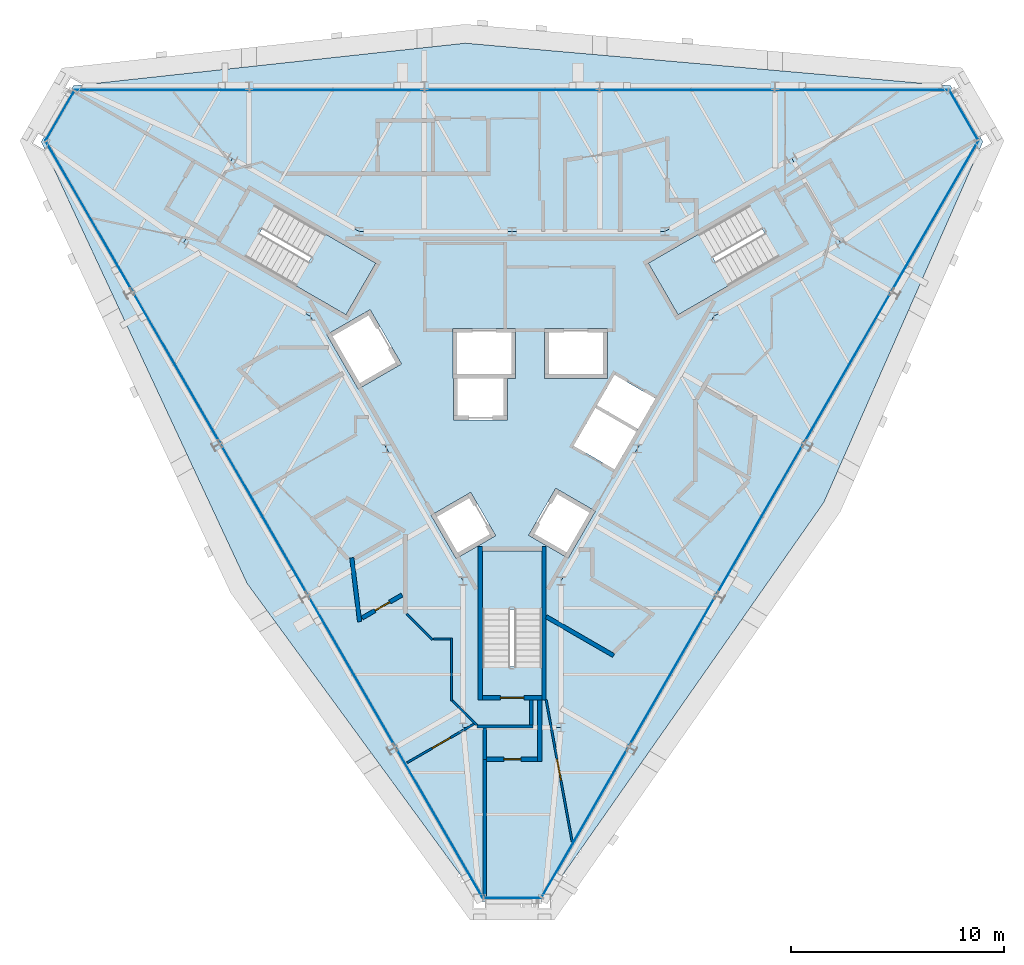
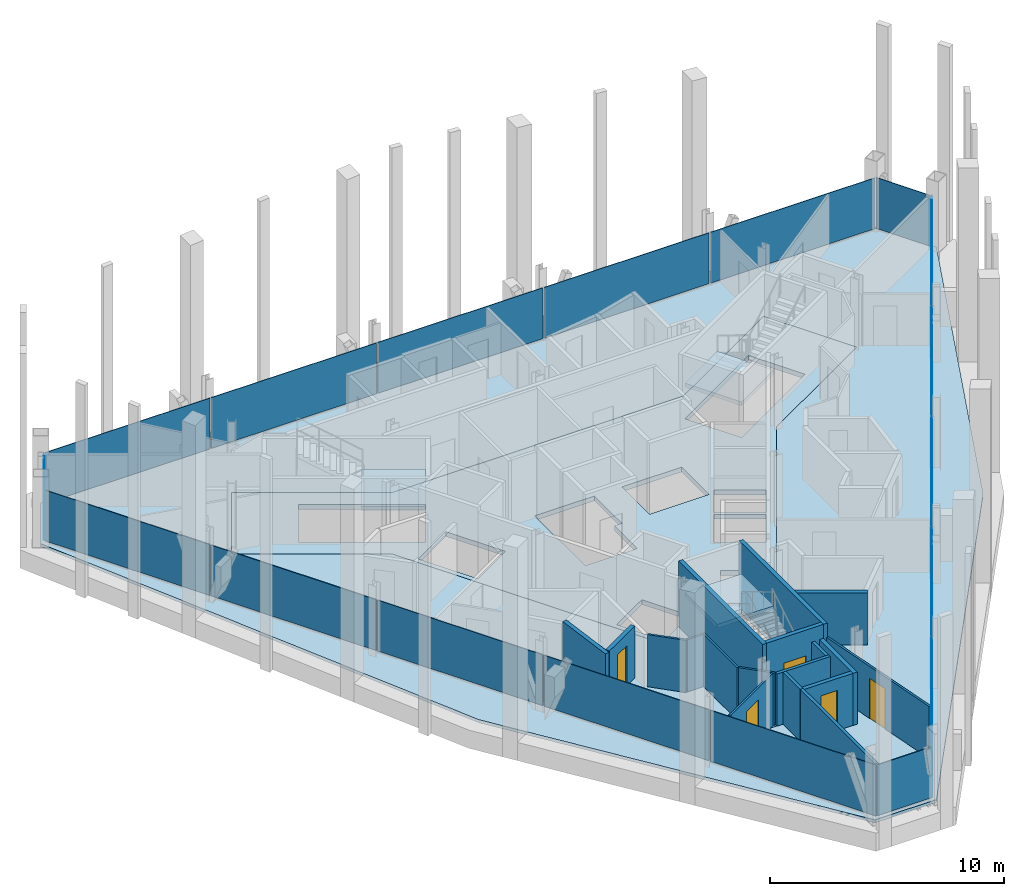
# One storey, part 7 of 13: 18 plates, 18 walls, 5 doors, 5 slabs, 5 openings, 9 elements without a shape of their own.
"""IFC4 building model written with IfcOpenShell, lengths in metres."""

from ifc_helpers import new_model, si_unit, direction, frame, frame_2d, origin, origin_2d, place, context, subcontext, project, spatial, polyline, rectangle, outline, extrude, material, layer, layer_set, type_object, element, fill, aggregate, save


model = new_model("IFC4")

# Units and contexts
model_context = context("Model", 3, precision=1e-05, world=origin(), true_north=direction((0.0, 1.0)))
body_context = subcontext(model_context, "Body", "Model", "MODEL_VIEW")
ifc_project = project(units=[si_unit("LENGTHUNIT", "METRE"), si_unit("AREAUNIT", "SQUARE_METRE"), si_unit("VOLUMEUNIT", "CUBIC_METRE"), si_unit("PLANEANGLEUNIT", "RADIAN"), si_unit("MASSUNIT", "GRAM", prefix="KILO")], contexts=[model_context])

# Site, building, storey
site_placement = place(None, origin())
site = spatial("IfcSite", under=ifc_project, at=site_placement, CompositionType="ELEMENT")
building_placement = place(site_placement, origin())
building = spatial("IfcBuilding", under=site, at=building_placement, Name="Verrane Prism Tower", CompositionType="ELEMENT")
storey_placement = place(building_placement, frame((0.0, 0.0, 286.199951171875)))
storey = spatial("IfcBuildingStorey", under=building, at=storey_placement, Name="L72", CompositionType="ELEMENT", Elevation=286.199951171875)

# Slabs
ifc_material_1 = material(Name="Concrete C35/45", Category="concrete")
ifc_layer_1 = layer(ifc_material_1, 0.159912109375)
ifc_layer_set_1 = layer_set([ifc_layer_1], Name="Composite floor slab")
slab_type_1 = type_object("IfcSlabType", Name="Composite floor slab", PredefinedType="FLOOR", material=ifc_layer_set_1)
slab_1_placement = place(storey_placement, frame((0.0, 0.0, -0.159912109375)))
element("IfcSlab", 1, at=slab_1_placement, inside=storey, type_object=slab_type_1, Name="Floor slab L72", PredefinedType="FLOOR", context=body_context, shape_type="SweptSolid", body=[
    extrude(outline(polyline([(14.652099609375, -5.921630859375), (1.51904296875, -24.6689453125), (-1.51904296875, -24.6689453125), (-12.454345703125, -9.728515625), (-22.12353515625, 11.01904296875), (-20.6044921875, 13.64990234375), (-2.19775390625, 15.64990234375), (20.6044921875, 13.64990234375), (22.12353515625, 11.01904296875), (14.652099609375, -5.921630859375)]), holes=[polyline([(15.43994140625, 6.260009765625), (13.139892578125, 10.239990234375), (7.179931640625, 6.800048828125), (0.0, 6.800048828125), (-7.179931640625, 6.800048828125), (-13.139892578125, 10.239990234375), (-15.43994140625, 6.260009765625), (-9.47998046875, 2.820068359375), (-5.889892578125, -3.39990234375), (-2.300048828125, -9.6201171875), (-2.300048828125, -16.5), (2.300048828125, -16.5), (2.300048828125, -9.6201171875), (5.889892578125, -3.39990234375), (9.47998046875, 2.820068359375), (15.43994140625, 6.260009765625)])]), origin(), (0.0, 0.0, 1.0), 0.159912109375),
])
ifc_material_2 = material(Name="Concrete C40/50", Category="concrete")
ifc_layer_2 = layer(ifc_material_2, 0.25)
ifc_layer_set_2 = layer_set([ifc_layer_2], Name="Core floor slab 250 concrete C40/50")
slab_type_2 = type_object("IfcSlabType", Name="Core floor slab 250 concrete C40/50", PredefinedType="FLOOR", material=ifc_layer_set_2)
slab_2_placement = place(storey_placement, frame((0.0, 0.0, -0.25)))
element("IfcSlab", 2, at=slab_2_placement, inside=storey, type_object=slab_type_2, Name="Core floor L72", PredefinedType="FLOOR", context=body_context, shape_type="SweptSolid", body=[
    extrude(outline(polyline([(9.47998046875, 2.820068359375), (15.43994140625, 6.260009765625), (13.139892578125, 10.239990234375), (7.179931640625, 6.800048828125), (0.0, 6.800048828125), (-7.179931640625, 6.800048828125), (-13.139892578125, 10.239990234375), (-15.43994140625, 6.260009765625), (-9.47998046875, 2.820068359375), (-5.889892578125, -3.39990234375), (-2.300048828125, -9.6201171875), (-2.300048828125, -16.5), (2.300048828125, -16.5), (2.300048828125, -9.6201171875), (5.889892578125, -3.39990234375), (9.47998046875, 2.820068359375)]), holes=[polyline([(-1.39990234375, -8.199951171875), (1.39990234375, -8.199951171875), (1.39990234375, -13.639892578125), (-1.39990234375, -13.639892578125), (-1.39990234375, -8.199951171875)]), polyline([(-0.76708984375, -7.491943359375), (-2.62890625, -8.56689453125), (-3.803955078125, -6.531982421875), (-1.94189453125, -5.45703125), (-0.76708984375, -7.491943359375)]), polyline([(3.9140625, -6.341064453125), (2.638916015625, -8.550048828125), (0.777099609375, -7.47509765625), (2.052001953125, -5.26611328125), (3.9140625, -6.341064453125)]), polyline([(4.81494140625, -4.37890625), (2.888916015625, -3.26708984375), (3.9130859375, -1.490966796875), (5.841064453125, -2.60302734375), (4.81494140625, -4.37890625)]), polyline([(6.739990234375, -1.044921875), (5.916015625, -2.47412109375), (3.988037109375, -1.361083984375), (4.81396484375, 0.06689453125), (6.739990234375, -1.044921875)]), polyline([(-2.784912109375, -0.10009765625), (-2.784912109375, 2.25), (0.1650390625, 2.25), (0.1650390625, -0.10009765625), (-0.205078125, -0.10009765625), (-0.205078125, -2.050048828125), (-2.7548828125, -2.050048828125), (-2.7548828125, -0.10009765625), (-2.784912109375, -0.10009765625)]), polyline([(4.47509765625, 2.25), (4.47509765625, -0.10009765625), (1.52490234375, -0.10009765625), (1.52490234375, 2.25), (4.47509765625, 2.25)]), polyline([(-8.7041015625, 1.955078125), (-6.66796875, 3.1298828125), (-5.193115234375, 0.574951171875), (-7.22900390625, -0.60009765625), (-8.7041015625, 1.955078125)]), polyline([(-7.801025390625, 2.887939453125), (-12.512939453125, 5.60791015625), (-11.113037109375, 8.031982421875), (-6.40087890625, 5.31201171875), (-7.801025390625, 2.887939453125)]), polyline([(6.40087890625, 5.31201171875), (11.113037109375, 8.031982421875), (12.512939453125, 5.60791015625), (7.801025390625, 2.887939453125), (6.40087890625, 5.31201171875)])]), origin(), (0.0, 0.0, 1.0), 0.25),
])

# Curtain wall, plate
ifc_material_3 = material(Name="Aluminium framed insulated glazing", Category="aluminium")
curtain_wall_type = type_object("IfcCurtainWallType", Name="Curtain wall CW-A 8400 module", PredefinedType="NOTDEFINED", material=ifc_material_3)
curtain_wall_1_placement = place(storey_placement, origin())
curtain_wall_1 = element("IfcCurtainWall", 3, at=curtain_wall_1_placement, inside=storey, type_object=curtain_wall_type, Name="Glazed curtain wall north-east corner L72", PredefinedType="NOTDEFINED")
ifc_material_4 = material(Name="Low-iron insulating glass unit", Category="glass")
ifc_layer_3 = layer(ifc_material_4, 0.031982421875)
ifc_layer_set_3 = layer_set([ifc_layer_3], Name="Glazing panel IGU 32")
plate_type = type_object("IfcPlateType", Name="Glazing panel IGU 32", PredefinedType="CURTAIN_PANEL", material=ifc_layer_set_3)
plate_1_placement = place(storey_placement, frame((21.21484375, 12.288818359375, 0.06982421875), z_axis=(0.0, 0.0, 1.0), x_axis=(-0.500002040855, 0.866024225493, 0.0)))
plate_1 = element("IfcPlate", 4, at=plate_1_placement, type_object=plate_type, Name="CW72.1 panel 1", PredefinedType="CURTAIN_PANEL", context=body_context, shape_type="SweptSolid", body=[
    extrude(rectangle(XDim=2.67529296875, YDim=0.031982421875, at=origin_2d()), origin(), (0.0, 0.0, 1.0), 2.653076171875),
])
aggregate(curtain_wall_1, [plate_1])

# Curtain wall, plates
curtain_wall_2_placement = place(storey_placement, origin())
curtain_wall_2 = element("IfcCurtainWall", 5, at=curtain_wall_2_placement, inside=storey, type_object=curtain_wall_type, Name="Glazed curtain wall north face L72", PredefinedType="NOTDEFINED")
plate_2_placement = place(storey_placement, frame((16.41943359375, 13.447265625, 0.06982421875), z_axis=(0.0, 0.0, 1.0), x_axis=(-1.0, 0.0, 0.0)))
plate_2 = element("IfcPlate", 6, at=plate_2_placement, type_object=plate_type, Name="CW72.2 panel 1", PredefinedType="CURTAIN_PANEL", context=body_context, shape_type="SweptSolid", body=[
    extrude(rectangle(XDim=8.113525390625, YDim=0.031982421875, at=origin_2d()), origin(), (0.0, 0.0, 1.0), 2.653076171875),
])
plate_3_placement = place(storey_placement, frame((8.218505859375, 13.447265625, 0.06982421875), z_axis=(0.0, 0.0, 1.0), x_axis=(-1.0, 0.0, 0.0)))
plate_3 = element("IfcPlate", 7, at=plate_3_placement, type_object=plate_type, Name="CW72.2 panel 2", PredefinedType="CURTAIN_PANEL", context=body_context, shape_type="SweptSolid", body=[
    extrude(rectangle(XDim=8.1484375, YDim=0.031982421875, at=origin_2d()), origin(), (0.0, 0.0, 1.0), 2.653076171875),
])
plate_4_placement = place(storey_placement, frame((0.0, 13.447265625, 0.06982421875), z_axis=(0.0, 0.0, 1.0), x_axis=(-1.0, 0.0, 0.0)))
plate_4 = element("IfcPlate", 8, at=plate_4_placement, type_object=plate_type, Name="CW72.2 panel 3", PredefinedType="CURTAIN_PANEL", context=body_context, shape_type="SweptSolid", body=[
    extrude(rectangle(XDim=8.1484375, YDim=0.031982421875, at=origin_2d()), origin(), (0.0, 0.0, 1.0), 2.653076171875),
])
plate_5_placement = place(storey_placement, frame((-8.218505859375, 13.447265625, 0.06982421875), z_axis=(0.0, 0.0, 1.0), x_axis=(-1.0, 0.0, 0.0)))
plate_5 = element("IfcPlate", 9, at=plate_5_placement, type_object=plate_type, Name="CW72.2 panel 4", PredefinedType="CURTAIN_PANEL", context=body_context, shape_type="SweptSolid", body=[
    extrude(rectangle(XDim=8.1484375, YDim=0.031982421875, at=origin_2d()), origin(), (0.0, 0.0, 1.0), 2.653076171875),
])
plate_6_placement = place(storey_placement, frame((-16.454345703125, 13.447265625, 0.06982421875), z_axis=(0.0, 0.0, 1.0), x_axis=(-1.0, 0.0, 0.0)))
plate_6 = element("IfcPlate", 10, at=plate_6_placement, type_object=plate_type, Name="CW72.2 panel 5", PredefinedType="CURTAIN_PANEL", context=body_context, shape_type="SweptSolid", body=[
    extrude(rectangle(XDim=8.183349609375, YDim=0.031982421875, at=origin_2d()), origin(), (0.0, 0.0, 1.0), 2.653076171875),
])
aggregate(curtain_wall_2, [plate_2, plate_3, plate_4, plate_5, plate_6])

# Curtain wall, plate
curtain_wall_3_placement = place(storey_placement, origin())
curtain_wall_3 = element("IfcCurtainWall", 11, at=curtain_wall_3_placement, inside=storey, type_object=curtain_wall_type, Name="Glazed curtain wall north-west corner L72", PredefinedType="NOTDEFINED")
plate_7_placement = place(storey_placement, frame((-21.25, 12.228271484375, 0.06982421875), z_axis=(0.0, 0.0, 1.0), x_axis=(-0.500002040855, -0.866024225493, 0.0)))
plate_7 = element("IfcPlate", 12, at=plate_7_placement, type_object=plate_type, Name="CW72.3 panel 1", PredefinedType="CURTAIN_PANEL", context=body_context, shape_type="SweptSolid", body=[
    extrude(rectangle(XDim=2.67529296875, YDim=0.031982421875, at=origin_2d()), origin(), (0.0, 0.0, 1.0), 2.653076171875),
])
aggregate(curtain_wall_3, [plate_7])

# Curtain wall, plates
curtain_wall_4_placement = place(storey_placement, origin())
curtain_wall_4 = element("IfcCurtainWall", 13, at=curtain_wall_4_placement, inside=storey, type_object=curtain_wall_type, Name="Glazed curtain wall south-west face L72", PredefinedType="NOTDEFINED")
plate_8_placement = place(storey_placement, frame((-19.855224609375, 7.495849609375, 0.06982421875), z_axis=(0.0, 0.0, 1.0), x_axis=(0.500000938868, -0.866024861728, 0.0)))
plate_8 = element("IfcPlate", 14, at=plate_8_placement, type_object=plate_type, Name="CW72.4 panel 1", PredefinedType="CURTAIN_PANEL", context=body_context, shape_type="SweptSolid", body=[
    extrude(rectangle(XDim=8.113525390625, YDim=0.031982421875, at=origin_2d()), origin(), (0.0, 0.0, 1.0), 2.653076171875),
])
plate_9_placement = place(storey_placement, frame((-15.7548828125, 0.393798828125, 0.06982421875), z_axis=(0.0, 0.0, 1.0), x_axis=(0.500000938868, -0.866024861728, 0.0)))
plate_9 = element("IfcPlate", 15, at=plate_9_placement, type_object=plate_type, Name="CW72.4 panel 2", PredefinedType="CURTAIN_PANEL", context=body_context, shape_type="SweptSolid", body=[
    extrude(rectangle(XDim=8.1484375, YDim=0.031982421875, at=origin_2d()), origin(), (0.0, 0.0, 1.0), 2.653076171875),
])
plate_10_placement = place(storey_placement, frame((-11.645751953125, -6.7236328125, 0.06982421875), z_axis=(0.0, 0.0, 1.0), x_axis=(0.500000938868, -0.866024861728, 0.0)))
plate_10 = element("IfcPlate", 16, at=plate_10_placement, type_object=plate_type, Name="CW72.4 panel 3", PredefinedType="CURTAIN_PANEL", context=body_context, shape_type="SweptSolid", body=[
    extrude(rectangle(XDim=8.1484375, YDim=0.031982421875, at=origin_2d()), origin(), (0.0, 0.0, 1.0), 2.653076171875),
])
plate_11_placement = place(storey_placement, frame((-7.536376953125, -13.841064453125, 0.06982421875), z_axis=(0.0, 0.0, 1.0), x_axis=(0.500000938868, -0.866024861728, 0.0)))
plate_11 = element("IfcPlate", 17, at=plate_11_placement, type_object=plate_type, Name="CW72.4 panel 4", PredefinedType="CURTAIN_PANEL", context=body_context, shape_type="SweptSolid", body=[
    extrude(rectangle(XDim=8.1484375, YDim=0.031982421875, at=origin_2d()), origin(), (0.0, 0.0, 1.0), 2.653076171875),
])
plate_12_placement = place(storey_placement, frame((-3.41845703125, -20.973388671875, 0.06982421875), z_axis=(0.0, 0.0, 1.0), x_axis=(0.500000938868, -0.866024861728, 0.0)))
plate_12 = element("IfcPlate", 18, at=plate_12_placement, type_object=plate_type, Name="CW72.4 panel 5", PredefinedType="CURTAIN_PANEL", context=body_context, shape_type="SweptSolid", body=[
    extrude(rectangle(XDim=8.183349609375, YDim=0.031982421875, at=origin_2d()), origin(), (0.0, 0.0, 1.0), 2.653076171875),
])
aggregate(curtain_wall_4, [plate_8, plate_9, plate_10, plate_11, plate_12])

# Curtain wall, plate
curtain_wall_5_placement = place(storey_placement, origin())
curtain_wall_5 = element("IfcCurtainWall", 19, at=curtain_wall_5_placement, inside=storey, type_object=curtain_wall_type, Name="Glazed curtain wall south corner L72", PredefinedType="NOTDEFINED")
plate_13_placement = place(storey_placement, frame((0.034912109375, -24.51708984375, 0.06982421875), z_axis=(0.0, 0.0, 1.0), x_axis=(1.0, 0.0, 0.0)))
plate_13 = element("IfcPlate", 20, at=plate_13_placement, type_object=plate_type, Name="CW72.5 panel 1", PredefinedType="CURTAIN_PANEL", context=body_context, shape_type="SweptSolid", body=[
    extrude(rectangle(XDim=2.67529296875, YDim=0.031982421875, at=origin_2d()), origin(), (0.0, 0.0, 1.0), 2.653076171875),
])
aggregate(curtain_wall_5, [plate_13])

# Curtain wall, plates
curtain_wall_6_placement = place(storey_placement, origin())
curtain_wall_6 = element("IfcCurtainWall", 21, at=curtain_wall_6_placement, inside=storey, type_object=curtain_wall_type, Name="Glazed curtain wall south-east face L72", PredefinedType="NOTDEFINED")
plate_14_placement = place(storey_placement, frame((3.43603515625, -20.943115234375, 0.06982421875), z_axis=(0.0, 0.0, 1.0), x_axis=(0.500000938868, 0.866024861728, 0.0)))
plate_14 = element("IfcPlate", 22, at=plate_14_placement, type_object=plate_type, Name="CW72.6 panel 1", PredefinedType="CURTAIN_PANEL", context=body_context, shape_type="SweptSolid", body=[
    extrude(rectangle(XDim=8.113525390625, YDim=0.031982421875, at=origin_2d()), origin(), (0.0, 0.0, 1.0), 2.653076171875),
])
plate_15_placement = place(storey_placement, frame((7.536376953125, -13.841064453125, 0.06982421875), z_axis=(0.0, 0.0, 1.0), x_axis=(0.500000938868, 0.866024861728, 0.0)))
plate_15 = element("IfcPlate", 23, at=plate_15_placement, type_object=plate_type, Name="CW72.6 panel 2", PredefinedType="CURTAIN_PANEL", context=body_context, shape_type="SweptSolid", body=[
    extrude(rectangle(XDim=8.1484375, YDim=0.031982421875, at=origin_2d()), origin(), (0.0, 0.0, 1.0), 2.653076171875),
])
plate_16_placement = place(storey_placement, frame((11.645751953125, -6.7236328125, 0.06982421875), z_axis=(0.0, 0.0, 1.0), x_axis=(0.500000938868, 0.866024861728, 0.0)))
plate_16 = element("IfcPlate", 24, at=plate_16_placement, type_object=plate_type, Name="CW72.6 panel 3", PredefinedType="CURTAIN_PANEL", context=body_context, shape_type="SweptSolid", body=[
    extrude(rectangle(XDim=8.1484375, YDim=0.031982421875, at=origin_2d()), origin(), (0.0, 0.0, 1.0), 2.653076171875),
])
plate_17_placement = place(storey_placement, frame((15.7548828125, 0.393798828125, 0.06982421875), z_axis=(0.0, 0.0, 1.0), x_axis=(0.500000938868, 0.866024861728, 0.0)))
plate_17 = element("IfcPlate", 25, at=plate_17_placement, type_object=plate_type, Name="CW72.6 panel 4", PredefinedType="CURTAIN_PANEL", context=body_context, shape_type="SweptSolid", body=[
    extrude(rectangle(XDim=8.1484375, YDim=0.031982421875, at=origin_2d()), origin(), (0.0, 0.0, 1.0), 2.653076171875),
])
plate_18_placement = place(storey_placement, frame((19.872802734375, 7.5263671875, 0.06982421875), z_axis=(0.0, 0.0, 1.0), x_axis=(0.500000938868, 0.866024861728, 0.0)))
plate_18 = element("IfcPlate", 26, at=plate_18_placement, type_object=plate_type, Name="CW72.6 panel 5", PredefinedType="CURTAIN_PANEL", context=body_context, shape_type="SweptSolid", body=[
    extrude(rectangle(XDim=8.183349609375, YDim=0.031982421875, at=origin_2d()), origin(), (0.0, 0.0, 1.0), 2.653076171875),
])
aggregate(curtain_wall_6, [plate_14, plate_15, plate_16, plate_17, plate_18])

# Stair, slab
ifc_material_5 = material(Name="Concrete C40/50", Category="concrete")
stair_type = type_object("IfcStairType", Name="Exit stair 1300 dog-leg precast concrete C40/50", PredefinedType="HALF_TURN_STAIR", material=ifc_material_5)
stair_1_placement = place(storey_placement, origin())
stair_1 = element("IfcStair", 27, at=stair_1_placement, inside=storey, type_object=stair_type, Name="Stair 1 L72", PredefinedType="HALF_TURN_STAIR")
ifc_material_6 = material(Name="Concrete C40/50", Category="concrete")
ifc_layer_4 = layer(ifc_material_6, 0.199951171875)
ifc_layer_set_4 = layer_set([ifc_layer_4], Name="Stair landing 200 precast concrete C40/50")
slab_type_3 = type_object("IfcSlabType", Name="Stair landing 200 precast concrete C40/50", PredefinedType="LANDING", material=ifc_layer_set_4)
slab_3_placement = place(storey_placement, frame((0.0, 0.0, 1.650146484375)))
slab_3 = element("IfcSlab", 28, at=slab_3_placement, type_object=slab_type_3, Name="Stair 1 landing 1", PredefinedType="LANDING", context=body_context, shape_type="SweptSolid", body=[
    extrude(outline(polyline([(8.791748046875, 6.6923828125), (6.4013671875, 5.3125), (7.801513671875, 2.887451171875), (10.191650390625, 4.267578125), (8.791748046875, 6.6923828125)])), origin(), (0.0, 0.0, 1.0), 0.199951171875),
])
aggregate(stair_1, [slab_3])

stair_2_placement = place(storey_placement, origin())
stair_2 = element("IfcStair", 29, at=stair_2_placement, inside=storey, type_object=stair_type, Name="Stair 2 L72", PredefinedType="HALF_TURN_STAIR")
slab_4_placement = place(storey_placement, frame((0.0, 0.0, 1.650146484375)))
slab_4 = element("IfcSlab", 30, at=slab_4_placement, type_object=slab_type_3, Name="Stair 2 landing 1", PredefinedType="LANDING", context=body_context, shape_type="SweptSolid", body=[
    extrude(outline(polyline([(-10.191650390625, 4.267578125), (-7.801513671875, 2.887451171875), (-6.4013671875, 5.3125), (-8.791748046875, 6.6923828125), (-10.191650390625, 4.267578125)])), origin(), (0.0, 0.0, 1.0), 0.199951171875),
])
aggregate(stair_2, [slab_4])

stair_3_placement = place(storey_placement, origin())
stair_3 = element("IfcStair", 31, at=stair_3_placement, inside=storey, type_object=stair_type, Name="Stair 3 L72", PredefinedType="HALF_TURN_STAIR")
slab_5_placement = place(storey_placement, frame((0.0, 0.0, 1.650146484375)))
slab_5 = element("IfcSlab", 32, at=slab_5_placement, type_object=slab_type_3, Name="Stair 3 landing 1", PredefinedType="LANDING", context=body_context, shape_type="SweptSolid", body=[
    extrude(outline(polyline([(1.39990234375, -10.9599609375), (1.39990234375, -8.199951171875), (-1.39990234375, -8.199951171875), (-1.39990234375, -10.9599609375), (1.39990234375, -10.9599609375)])), origin(), (0.0, 0.0, 1.0), 0.199951171875),
])
aggregate(stair_3, [slab_5])

# Wall, opening, door
ifc_material_7 = material(Name="Concrete C40/50", Category="concrete")
ifc_layer_5 = layer(ifc_material_7, 0.199951171875)
ifc_layer_set_5 = layer_set([ifc_layer_5], Name="CW-200 stair core wall concrete C40/50 3 h")
wall_type_1 = type_object("IfcWallType", Name="CW-200 stair core wall concrete C40/50 3 h", PredefinedType="PARTITIONING", material=ifc_layer_set_5)
wall_1_placement = place(storey_placement, frame((-1.39990234375, -15.10009765625, 0.0), z_axis=(0.0, 0.0, 1.0), x_axis=(1.0, 0.0, 0.0)))
wall_1 = element("IfcWall", 33, at=wall_1_placement, inside=storey, type_object=wall_type_1, Name="Stair 3 enclosure wall", PredefinedType="PARTITIONING", context=body_context, shape_type="SweptSolid", body=[
    extrude(rectangle(XDim=2.7998046875, YDim=0.199951171875, at=frame_2d((1.39990234375, 0.0))), origin(), (0.0, 0.0, 1.0), 3.449951171875),
])
opening_1_placement = place(wall_1_placement, frame((0.85009765625, 0.0, 0.0)))
opening_1 = element("IfcOpeningElement", 34, at=opening_1_placement, cuts=wall_1, Name="Opening D72502", PredefinedType="OPENING", context=body_context, shape_type="SweptSolid", body=[
    extrude(rectangle(XDim=1.10009765625, YDim=2.10009765625, at=frame_2d((0.550048828125, 1.050048828125))), frame((0.0, 0.10986328125, 0.0), z_axis=(0.0, -1.0, 0.0), x_axis=(1.0, 0.0, 0.0)), (0.0, 0.0, 1.0), 0.219970703125),
])
ifc_material_8 = material(Name="Timber veneered door leaf", Category="wood")
door_type_1 = type_object("IfcDoorType", Name="DR-1100x2100 FD90 single leaf stair", OperationType="NOTDEFINED", PredefinedType="DOOR", material=ifc_material_8)
door_1_placement = place(opening_1_placement, origin())
door_1 = element("IfcDoor", 35, at=door_1_placement, inside=storey, type_object=door_type_1, Name="Stair 3 door", OperationType="SINGLE_SWING_LEFT", OverallHeight=2.10009765625, OverallWidth=1.10009765625, PredefinedType="DOOR", context=body_context, shape_type="SweptSolid", body=[
    extrude(rectangle(XDim=1.10009765625, YDim=2.10009765625, at=frame_2d((0.550048828125, 1.050048828125))), frame((0.0, 0.02490234375, 0.0), z_axis=(0.0, -1.0, 0.0), x_axis=(1.0, 0.0, 0.0)), (0.0, 0.0, 1.0), 0.050048828125),
])
fill(opening_1, door_1)

# Walls
for number, where, z_axis, x_axis, name in (
    (36, (1.5, -8.0, 0.0), (0.0, 0.0, 1.0), (0.0, -1.0, 0.0), "Stair 3 enclosure wall"),
    (37, (-1.5, -8.0, 0.0), (0.0, 0.0, 1.0), (0.0, -1.0, 0.0), "Stair 3 enclosure wall"),
):
    element("IfcWall", number, at=place(storey_placement, frame(where, z_axis=z_axis, x_axis=x_axis)), inside=storey, type_object=wall_type_1, Name=name, PredefinedType="PARTITIONING", context=body_context, shape_type="SweptSolid", body=[
        extrude(rectangle(XDim=7.199951171875, YDim=0.199951171875, at=frame_2d((3.60009765625, 0.0))), origin(), (0.0, 0.0, 1.0), 3.449951171875),
    ])
ifc_material_9 = material(Name="Gypsum board partition", Category="other")
ifc_layer_6 = layer(ifc_material_9, 0.10009765625)
ifc_layer_set_6 = layer_set([ifc_layer_6], Name="PW-100 room partition")
wall_type_2 = type_object("IfcWallType", Name="PW-100 room partition", PredefinedType="PARTITIONING", material=ifc_layer_set_6)
wall_2_placement = place(storey_placement, frame((-4.94482421875, -11.163330078125, 0.0), z_axis=(0.0, 0.0, 1.0), x_axis=(0.707178051335, -0.707035503854, 0.0)))
element("IfcWall", 38, at=wall_2_placement, inside=storey, type_object=wall_type_2, Name="Room partition 028", PredefinedType="PARTITIONING", context=body_context, shape_type="SweptSolid", body=[
    extrude(rectangle(XDim=1.712646484375, YDim=0.10009765625, at=frame_2d((0.8564453125, 0.0))), origin(), (0.0, 0.0, 1.0), 2.72314453125),
])

# Wall, opening, door
wall_3_placement = place(storey_placement, frame((-1.79345703125, -16.345703125, 0.0), z_axis=(0.0, 0.0, 1.0), x_axis=(-0.86592535605, -0.500173247735, 0.0)))
wall_3 = element("IfcWall", 39, at=wall_3_placement, inside=storey, type_object=wall_type_2, Name="Room partition 029", PredefinedType="PARTITIONING", context=body_context, shape_type="SweptSolid", body=[
    extrude(rectangle(XDim=3.625244140625, YDim=0.10009765625, at=frame_2d((1.8125, 0.0))), origin(), (0.0, 0.0, 1.0), 2.72314453125),
])
opening_2_placement = place(wall_3_placement, frame((1.271484375, 0.0, 0.0)))
opening_2 = element("IfcOpeningElement", 40, at=opening_2_placement, cuts=wall_3, Name="Opening D72025", PredefinedType="OPENING", context=body_context, shape_type="SweptSolid", body=[
    extrude(rectangle(XDim=1.0, YDim=2.10009765625, at=frame_2d((0.5, 1.050048828125))), frame((0.0, 0.06005859375, 0.0), z_axis=(0.0, -1.0, 0.0), x_axis=(1.0, 0.0, 0.0)), (0.0, 0.0, 1.0), 0.1201171875),
])
ifc_material_10 = material(Name="Timber veneered door leaf", Category="wood")
door_type_2 = type_object("IfcDoorType", Name="DR-1000x2100 single leaf inner", OperationType="NOTDEFINED", PredefinedType="DOOR", material=ifc_material_10)
door_2_placement = place(opening_2_placement, origin())
door_2 = element("IfcDoor", 41, at=door_2_placement, inside=storey, type_object=door_type_2, Name="Living And Dining Room door", OperationType="SINGLE_SWING_RIGHT", OverallHeight=2.10009765625, OverallWidth=1.0, PredefinedType="DOOR", context=body_context, shape_type="SweptSolid", body=[
    extrude(rectangle(XDim=1.0, YDim=2.10009765625, at=frame_2d((0.5, 1.050048828125))), frame((0.0, 0.02490234375, 0.0), z_axis=(0.0, -1.0, 0.0), x_axis=(1.0, 0.0, 0.0)), (0.0, 0.0, 1.0), 0.050048828125),
])
fill(opening_2, door_2)

# Walls
wall_4_placement = place(storey_placement, frame((-3.698974609375, -12.339111328125, 0.0), z_axis=(0.0, 0.0, 1.0), x_axis=(1.0, 0.0, 0.0)))
element("IfcWall", 42, at=wall_4_placement, inside=storey, type_object=wall_type_2, Name="Room partition 030", PredefinedType="PARTITIONING", context=body_context, shape_type="SweptSolid", body=[
    extrude(rectangle(XDim=0.799072265625, YDim=0.10009765625, at=frame_2d((0.3994140625, 0.0))), origin(), (0.0, 0.0, 1.0), 2.72314453125),
])
wall_5_placement = place(storey_placement, frame((-2.85009765625, -15.25, 0.0), z_axis=(0.0, 0.0, 1.0), x_axis=(0.0, 1.0, 0.0)))
element("IfcWall", 43, at=wall_5_placement, inside=storey, type_object=wall_type_2, Name="Room partition 033", PredefinedType="PARTITIONING", context=body_context, shape_type="SweptSolid", body=[
    extrude(rectangle(XDim=2.9609375, YDim=0.10009765625, at=frame_2d((1.48046875, 0.0))), origin(), (0.0, 0.0, 1.0), 2.72314453125),
])
wall_6_placement = place(storey_placement, frame((-2.800537109375, -15.24951171875, 0.0), z_axis=(0.0, 0.0, 1.0), x_axis=(0.707106781187, -0.707106781187, 0.0)))
element("IfcWall", 44, at=wall_6_placement, inside=storey, type_object=wall_type_2, Name="Room partition 034", PredefinedType="PARTITIONING", context=body_context, shape_type="SweptSolid", body=[
    extrude(rectangle(XDim=1.60791015625, YDim=0.10009765625, at=frame_2d((0.803955078125, 0.0))), origin(), (0.0, 0.0, 1.0), 2.72314453125),
])

# Wall, opening, door
wall_7_placement = place(storey_placement, frame((2.82275390625, -21.869384765625, 0.0), z_axis=(0.0, 0.0, 1.0), x_axis=(-0.180317418333, 0.983608473248, 0.0)))
wall_7 = element("IfcWall", 45, at=wall_7_placement, inside=storey, type_object=wall_type_2, Name="Room partition 045", PredefinedType="PARTITIONING", context=body_context, shape_type="SweptSolid", body=[
    extrude(rectangle(XDim=6.780517578125, YDim=0.10009765625, at=frame_2d((3.39013671875, 0.0))), origin(), (0.0, 0.0, 1.0), 2.72314453125),
])
opening_3_placement = place(wall_7_placement, frame((2.9306640625, 0.0, 0.0)))
opening_3 = element("IfcOpeningElement", 46, at=opening_3_placement, cuts=wall_7, Name="Opening D72003", PredefinedType="OPENING", context=body_context, shape_type="SweptSolid", body=[
    extrude(rectangle(XDim=1.0, YDim=2.10009765625, at=frame_2d((0.5, 1.050048828125))), frame((0.0, 0.06005859375, 0.0), z_axis=(0.0, -1.0, 0.0), x_axis=(1.0, 0.0, 0.0)), (0.0, 0.0, 1.0), 0.1201171875),
])
door_3_placement = place(opening_3_placement, origin())
door_3 = element("IfcDoor", 47, at=door_3_placement, inside=storey, type_object=door_type_2, Name="Living And Dining Room door", OperationType="SINGLE_SWING_RIGHT", OverallHeight=2.10009765625, OverallWidth=1.0, PredefinedType="DOOR", context=body_context, shape_type="SweptSolid", body=[
    extrude(rectangle(XDim=1.0, YDim=2.10009765625, at=frame_2d((0.5, 1.050048828125))), frame((0.0, 0.02490234375, 0.0), z_axis=(0.0, -1.0, 0.0), x_axis=(1.0, 0.0, 0.0)), (0.0, 0.0, 1.0), 0.050048828125),
])
fill(opening_3, door_3)

# Walls
ifc_material_11 = material(Name="Gypsum board partition", Category="other")
ifc_layer_7 = layer(ifc_material_11, 0.14990234375)
ifc_layer_set_7 = layer_set([ifc_layer_7], Name="PW-150 demising wall 1 h")
wall_type_3 = type_object("IfcWallType", Name="PW-150 demising wall 1 h", PredefinedType="PARTITIONING", material=ifc_layer_set_7)
wall_8_placement = place(storey_placement, frame((-1.64990234375, -16.449951171875, 0.0), z_axis=(0.0, 0.0, 1.0), x_axis=(1.0, 0.0, 0.0)))
element("IfcWall", 48, at=wall_8_placement, inside=storey, type_object=wall_type_3, Name="Demising wall 035", PredefinedType="PARTITIONING", context=body_context, shape_type="SweptSolid", body=[
    extrude(rectangle(XDim=2.625, YDim=0.14990234375, at=frame_2d((1.3125, 0.0))), origin(), (0.0, 0.0, 1.0), 2.72314453125),
])
wall_9_placement = place(storey_placement, frame((-1.285888671875, -24.4208984375, 0.0), z_axis=(0.0, 0.0, 1.0), x_axis=(0.0, 1.0, 0.0)))
element("IfcWall", 49, at=wall_9_placement, inside=storey, type_object=wall_type_3, Name="Demising wall 036", PredefinedType="PARTITIONING", context=body_context, shape_type="SweptSolid", body=[
    extrude(rectangle(XDim=6.416015625, YDim=0.14990234375, at=frame_2d((3.2080078125, 0.0))), origin(), (0.0, 0.0, 1.0), 2.72314453125),
])
wall_10_placement = place(storey_placement, frame((-1.285888671875, -18.0, 0.0), z_axis=(0.0, 0.0, 1.0), x_axis=(0.0, 1.0, 0.0)))
element("IfcWall", 50, at=wall_10_placement, inside=storey, type_object=wall_type_3, Name="Demising wall 037", PredefinedType="PARTITIONING", context=body_context, shape_type="SweptSolid", body=[
    extrude(rectangle(XDim=1.47509765625, YDim=0.14990234375, at=frame_2d((0.737548828125, 0.0))), origin(), (0.0, 0.0, 1.0), 2.72314453125),
])
wall_11_placement = place(storey_placement, frame((0.89990234375, -16.375, 0.0), z_axis=(0.0, 0.0, 1.0), x_axis=(0.0, 1.0, 0.0)))
element("IfcWall", 51, at=wall_11_placement, inside=storey, type_object=wall_type_3, Name="Demising wall 041", PredefinedType="PARTITIONING", context=body_context, shape_type="SweptSolid", body=[
    extrude(rectangle(XDim=1.175048828125, YDim=0.14990234375, at=frame_2d((0.58740234375, 0.0))), origin(), (0.0, 0.0, 1.0), 2.72314453125),
])
ifc_material_12 = material(Name="Gypsum board partition", Category="other")
ifc_layer_8 = layer(ifc_material_12, 0.199951171875)
ifc_layer_set_8 = layer_set([ifc_layer_8], Name="PW-200 plumbing wall")
wall_type_4 = type_object("IfcWallType", Name="PW-200 plumbing wall", PredefinedType="PARTITIONING", material=ifc_layer_set_8)
wall_12_placement = place(storey_placement, frame((-7.53125, -8.53076171875, 0.0), z_axis=(0.0, 0.0, 1.0), x_axis=(0.121789472799, -0.992555955257, 0.0)))
element("IfcWall", 52, at=wall_12_placement, inside=storey, type_object=wall_type_4, Name="Plumbing wall 020", PredefinedType="PARTITIONING", context=body_context, shape_type="SweptSolid", body=[
    extrude(rectangle(XDim=3.02490234375, YDim=0.199951171875, at=frame_2d((1.512451171875, 0.0))), origin(), (0.0, 0.0, 1.0), 2.72314453125),
])

# Wall, opening, door
wall_13_placement = place(storey_placement, frame((-7.045166015625, -11.35888671875, 0.0), z_axis=(0.0, 0.0, 1.0), x_axis=(0.866022320763, 0.500005339912, 0.0)))
wall_13 = element("IfcWall", 53, at=wall_13_placement, inside=storey, type_object=wall_type_4, Name="Plumbing wall 024", PredefinedType="PARTITIONING", context=body_context, shape_type="SweptSolid", body=[
    extrude(rectangle(XDim=2.16650390625, YDim=0.199951171875, at=frame_2d((1.083251953125, 0.0))), origin(), (0.0, 0.0, 1.0), 2.72314453125),
])
opening_4_placement = place(wall_13_placement, frame((0.699951171875, 0.0, 0.0)))
opening_4 = element("IfcOpeningElement", 54, at=opening_4_placement, cuts=wall_13, Name="Opening D72026", PredefinedType="OPENING", context=body_context, shape_type="SweptSolid", body=[
    extrude(rectangle(XDim=0.800048828125, YDim=2.10009765625, at=frame_2d((0.39990234375, 1.050048828125))), frame((0.0, 0.10986328125, 0.0), z_axis=(0.0, -1.0, 0.0), x_axis=(1.0, 0.0, 0.0)), (0.0, 0.0, 1.0), 0.219970703125),
])
ifc_material_13 = material(Name="Timber veneered door leaf", Category="wood")
door_type_3 = type_object("IfcDoorType", Name="DR-800x2100 single leaf inner", OperationType="NOTDEFINED", PredefinedType="DOOR", material=ifc_material_13)
door_4_placement = place(opening_4_placement, origin())
door_4 = element("IfcDoor", 55, at=door_4_placement, inside=storey, type_object=door_type_3, Name="Bathroom door", OperationType="SINGLE_SWING_RIGHT", OverallHeight=2.10009765625, OverallWidth=0.800048828125, PredefinedType="DOOR", context=body_context, shape_type="SweptSolid", body=[
    extrude(rectangle(XDim=0.800048828125, YDim=2.10009765625, at=frame_2d((0.39990234375, 1.050048828125))), frame((0.0, 0.02490234375, 0.0), z_axis=(0.0, -1.0, 0.0), x_axis=(1.0, 0.0, 0.0)), (0.0, 0.0, 1.0), 0.050048828125),
])
fill(opening_4, door_4)

wall_14_placement = place(storey_placement, frame((-1.2109375, -18.0, 0.0), z_axis=(0.0, 0.0, 1.0), x_axis=(1.0, 0.0, 0.0)))
wall_14 = element("IfcWall", 56, at=wall_14_placement, inside=storey, type_object=wall_type_4, Name="Plumbing wall 038", PredefinedType="PARTITIONING", context=body_context, shape_type="SweptSolid", body=[
    extrude(rectangle(XDim=2.410888671875, YDim=0.199951171875, at=frame_2d((1.20556640625, 0.0))), origin(), (0.0, 0.0, 1.0), 2.72314453125),
])
opening_5_placement = place(wall_14_placement, frame((0.824951171875, 0.0, 0.0)))
opening_5 = element("IfcOpeningElement", 57, at=opening_5_placement, cuts=wall_14, Name="Opening D72004", PredefinedType="OPENING", context=body_context, shape_type="SweptSolid", body=[
    extrude(rectangle(XDim=0.800048828125, YDim=2.10009765625, at=frame_2d((0.39990234375, 1.050048828125))), frame((0.0, 0.10986328125, 0.0), z_axis=(0.0, -1.0, 0.0), x_axis=(1.0, 0.0, 0.0)), (0.0, 0.0, 1.0), 0.219970703125),
])
ifc_material_14 = material(Name="Timber veneered door leaf", Category="wood")
door_type_4 = type_object("IfcDoorType", Name="DR-800x2100 single leaf bath", OperationType="NOTDEFINED", PredefinedType="DOOR", material=ifc_material_14)
door_5_placement = place(opening_5_placement, origin())
door_5 = element("IfcDoor", 58, at=door_5_placement, inside=storey, type_object=door_type_4, Name="Master Bathroom door", OperationType="SINGLE_SWING_RIGHT", OverallHeight=2.10009765625, OverallWidth=0.800048828125, PredefinedType="DOOR", context=body_context, shape_type="SweptSolid", body=[
    extrude(rectangle(XDim=0.800048828125, YDim=2.10009765625, at=frame_2d((0.39990234375, 1.050048828125))), frame((0.0, 0.02490234375, 0.0), z_axis=(0.0, -1.0, 0.0), x_axis=(1.0, 0.0, 0.0)), (0.0, 0.0, 1.0), 0.050048828125),
])
fill(opening_5, door_5)

# Walls
wall_15_placement = place(storey_placement, frame((1.300048828125, -18.10009765625, 0.0), z_axis=(0.0, 0.0, 1.0), x_axis=(0.0, 1.0, 0.0)))
element("IfcWall", 59, at=wall_15_placement, inside=storey, type_object=wall_type_4, Name="Plumbing wall 043", PredefinedType="PARTITIONING", context=body_context, shape_type="SweptSolid", body=[
    extrude(rectangle(XDim=2.900146484375, YDim=0.199951171875, at=frame_2d((1.4501953125, 0.0))), origin(), (0.0, 0.0, 1.0), 2.72314453125),
])
wall_16_placement = place(storey_placement, frame((1.60009765625, -11.294921875, 0.0), z_axis=(0.0, 0.0, 1.0), x_axis=(0.866067869506, -0.499926439998, 0.0)))
element("IfcWall", 60, at=wall_16_placement, inside=storey, type_object=wall_type_4, Name="Plumbing wall 046", PredefinedType="PARTITIONING", context=body_context, shape_type="SweptSolid", body=[
    extrude(rectangle(XDim=3.66064453125, YDim=0.199951171875, at=frame_2d((1.830322265625, 0.0))), origin(), (0.0, 0.0, 1.0), 2.72314453125),
])

save(model, "model.ifc")
